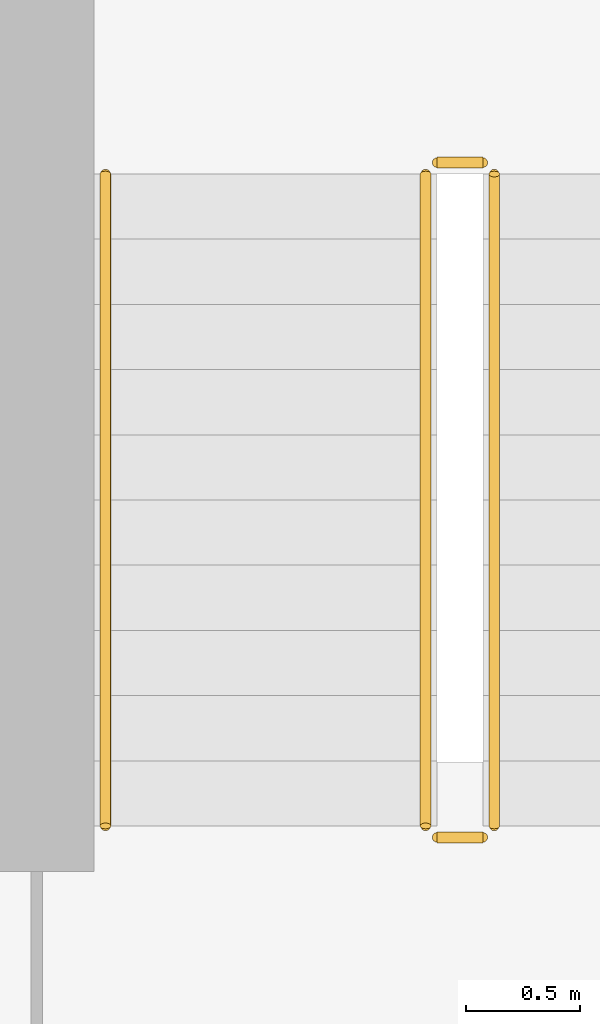
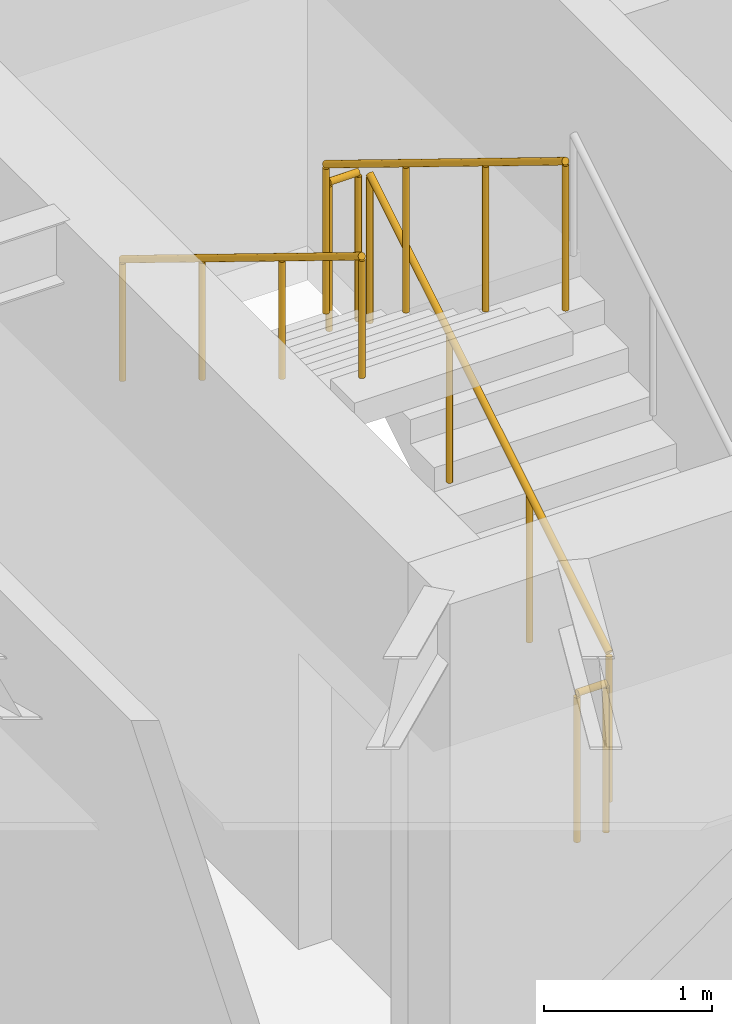
# One storey, part 11 of 13: 5 railings.
"""IFC4 building model written with IfcOpenShell, lengths in metres."""

from ifc_helpers import new_model, si_unit, direction, frame, origin, origin_2d, place, context, subcontext, project, spatial, circle, extrude, material, type_object, element, save


model = new_model("IFC4")

# Units and contexts
model_context = context("Model", 3, precision=1e-05, world=origin(), true_north=direction((0.0, 1.0)))
body_context = subcontext(model_context, "Body", "Model", "MODEL_VIEW")
ifc_project = project(units=[si_unit("LENGTHUNIT", "METRE"), si_unit("AREAUNIT", "SQUARE_METRE"), si_unit("VOLUMEUNIT", "CUBIC_METRE"), si_unit("PLANEANGLEUNIT", "RADIAN"), si_unit("MASSUNIT", "GRAM", prefix="KILO")], contexts=[model_context])

# Site, building, storey
site_placement = place(None, origin())
site = spatial("IfcSite", under=ifc_project, at=site_placement, CompositionType="ELEMENT")
building_placement = place(site_placement, origin())
building = spatial("IfcBuilding", under=site, at=building_placement, Name="Kavelnor Concourse Tower", CompositionType="ELEMENT")
storey_placement = place(building_placement, frame((0.0, 0.0, 85.5)))
storey = spatial("IfcBuildingStorey", under=building, at=storey_placement, Name="L21", CompositionType="ELEMENT", Elevation=85.5)

# Railings
ifc_material = material(Name="Steel Grade 350", Category="steel")
railing_type_1 = type_object("IfcRailingType", Name="RLG-GUARD-1100", PredefinedType="GUARDRAIL", material=ifc_material)
railing_1_placement = place(storey_placement, frame((30.22998046875, 11.10009765625, 0.175048828125)))
element("IfcRailing", 1, at=railing_1_placement, inside=storey, type_object=railing_type_1, Name="L21 ST1 stair guard 1", PredefinedType="GUARDRAIL", context=body_context, shape_type="SweptSolid", body=[
    extrude(circle(Radius=0.02392578125, at=origin_2d()), frame((0.0, 0.0, 1.076171875), z_axis=(0.0, 0.852159232446, 0.523282564737), x_axis=(-1.0, 0.0, 0.0)), (0.0, 0.0, 1.0), 3.34423828125),
    extrude(circle(Radius=0.02099609375, at=origin_2d()), origin(), (0.0, 0.0, 1.0), 1.052001953125),
    extrude(circle(Radius=0.02099609375, at=origin_2d()), frame((0.0, 0.949951171875, 0.583251953125)), (0.0, 0.0, 1.0), 1.052001953125),
    extrude(circle(Radius=0.02099609375, at=origin_2d()), frame((0.0, 1.89990234375, 1.166748046875)), (0.0, 0.0, 1.0), 1.052001953125),
    extrude(circle(Radius=0.02099609375, at=origin_2d()), frame((0.0, 2.849853515625, 1.75)), (0.0, 0.0, 1.0), 1.052001953125),
])
railing_2_placement = place(storey_placement, frame((30.179931640625, 14.0, 1.925048828125)))
element("IfcRailing", 2, at=railing_2_placement, inside=storey, type_object=railing_type_1, Name="L21 ST1 stair guard 2", PredefinedType="GUARDRAIL", context=body_context, shape_type="SweptSolid", body=[
    extrude(circle(Radius=0.02392578125, at=origin_2d()), frame((0.0, 0.0, 1.076171875), z_axis=(-1.0, 0.0, 0.0), x_axis=(0.0, -1.0, 0.0)), (0.0, 0.0, 1.0), 0.199951171875),
    extrude(circle(Radius=0.02099609375, at=origin_2d()), origin(), (0.0, 0.0, 1.0), 1.052001953125),
    extrude(circle(Radius=0.02099609375, at=origin_2d()), frame((-0.199951171875, 0.0, 0.0)), (0.0, 0.0, 1.0), 1.052001953125),
])
railing_3_placement = place(storey_placement, frame((29.929931640625, 13.949951171875, 2.10009765625)))
element("IfcRailing", 3, at=railing_3_placement, inside=storey, type_object=railing_type_1, Name="L21 ST1 stair guard 3", PredefinedType="GUARDRAIL", context=body_context, shape_type="SweptSolid", body=[
    extrude(circle(Radius=0.02392578125, at=origin_2d()), frame((0.0, 0.0, 1.076171875), z_axis=(0.0, -0.852159232446, 0.523282564737), x_axis=(1.0, 0.0, 0.0)), (0.0, 0.0, 1.0), 3.34423828125),
    extrude(circle(Radius=0.02099609375, at=origin_2d()), origin(), (0.0, 0.0, 1.0), 1.052001953125),
    extrude(circle(Radius=0.02099609375, at=origin_2d()), frame((0.0, -0.949951171875, 0.583251953125)), (0.0, 0.0, 1.0), 1.052001953125),
    extrude(circle(Radius=0.02099609375, at=origin_2d()), frame((0.0, -1.89990234375, 1.166748046875)), (0.0, 0.0, 1.0), 1.052001953125),
    extrude(circle(Radius=0.02099609375, at=origin_2d()), frame((0.0, -2.849853515625, 1.75)), (0.0, 0.0, 1.0), 1.052001953125),
])
railing_4_placement = place(storey_placement, frame((30.179931640625, 11.050048828125, 0.0)))
element("IfcRailing", 4, at=railing_4_placement, inside=storey, type_object=railing_type_1, Name="L21 ST1 stair guard 4", PredefinedType="GUARDRAIL", context=body_context, shape_type="SweptSolid", body=[
    extrude(circle(Radius=0.02392578125, at=origin_2d()), frame((0.0, 0.0, 1.076171875), z_axis=(-1.0, 0.0, 0.0), x_axis=(0.0, -1.0, 0.0)), (0.0, 0.0, 1.0), 0.199951171875),
    extrude(circle(Radius=0.02099609375, at=origin_2d()), origin(), (0.0, 0.0, 1.0), 1.052001953125),
    extrude(circle(Radius=0.02099609375, at=origin_2d()), frame((-0.199951171875, 0.0, 0.0)), (0.0, 0.0, 1.0), 1.052001953125),
])
railing_type_2 = type_object("IfcRailingType", Name="RLG-HANDRAIL-900", PredefinedType="HANDRAIL", material=ifc_material)
railing_5_placement = place(storey_placement, frame((28.530029296875, 13.949951171875, 2.10009765625)))
element("IfcRailing", 5, at=railing_5_placement, inside=storey, type_object=railing_type_2, Name="L21 ST1 stair handrail 2", PredefinedType="HANDRAIL", context=body_context, shape_type="SweptSolid", body=[
    extrude(circle(Radius=0.02392578125, at=origin_2d()), frame((0.0, 0.0, 0.8759765625), z_axis=(0.0, -0.852159232446, 0.523282564737), x_axis=(1.0, 0.0, 0.0)), (0.0, 0.0, 1.0), 3.34423828125),
    extrude(circle(Radius=0.02099609375, at=origin_2d()), origin(), (0.0, 0.0, 1.0), 0.851806640625),
    extrude(circle(Radius=0.02099609375, at=origin_2d()), frame((0.0, -0.949951171875, 0.583251953125)), (0.0, 0.0, 1.0), 0.851806640625),
    extrude(circle(Radius=0.02099609375, at=origin_2d()), frame((0.0, -1.89990234375, 1.166748046875)), (0.0, 0.0, 1.0), 0.851806640625),
    extrude(circle(Radius=0.02099609375, at=origin_2d()), frame((0.0, -2.849853515625, 1.75)), (0.0, 0.0, 1.0), 0.851806640625),
])

save(model, "model.ifc")
